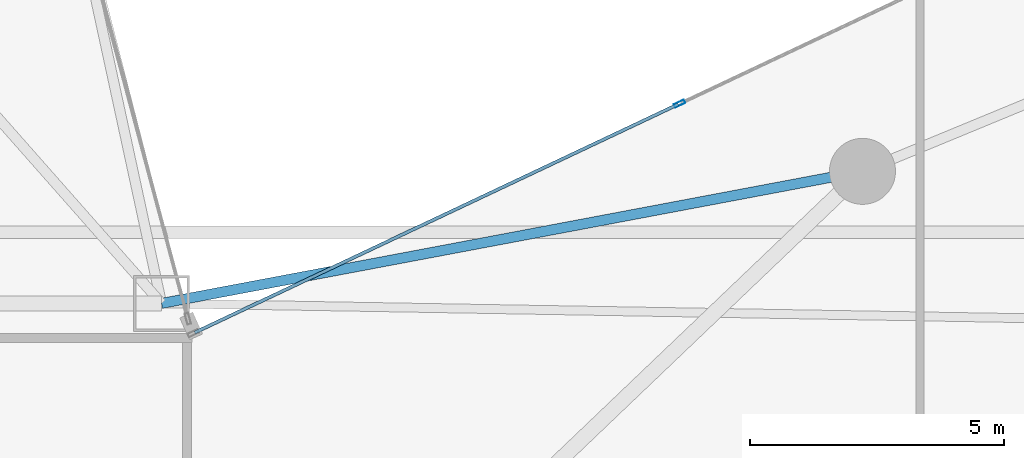
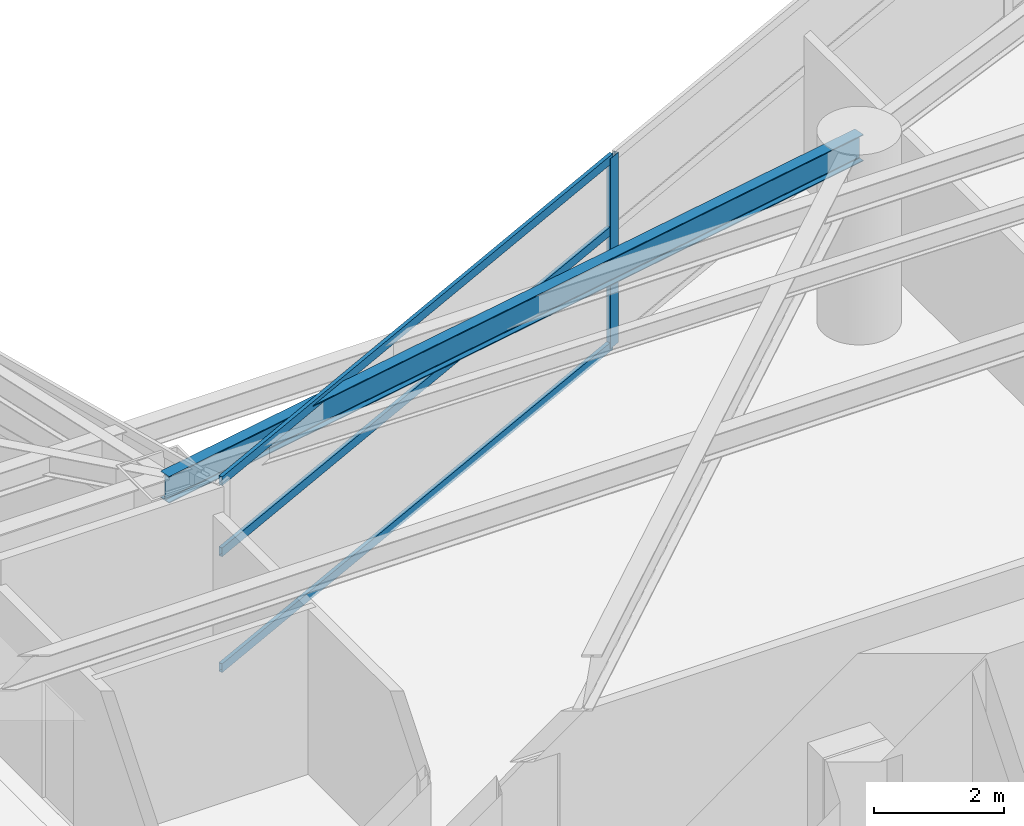
# One storey, part 11 of 29: 4 members, 1 beam, 1 element without a shape of its own.
"""IFC4 building model written with IfcOpenShell, lengths in metres."""

from ifc_helpers import new_model, si_unit, direction, frame, origin, origin_2d, place, context, subcontext, project, spatial, hollow_rectangle, i_section, extrude, material, layer, layer_set, material_profile, profile_set, type_object, element, aggregate, save


model = new_model("IFC4")

# Units and contexts
model_context = context("Model", 3, precision=1e-05, world=origin(), true_north=direction((0.0, 1.0)))
body_context = subcontext(model_context, "Body", "Model", "MODEL_VIEW")
ifc_project = project(units=[si_unit("LENGTHUNIT", "METRE"), si_unit("AREAUNIT", "SQUARE_METRE"), si_unit("VOLUMEUNIT", "CUBIC_METRE"), si_unit("PLANEANGLEUNIT", "RADIAN"), si_unit("MASSUNIT", "GRAM", prefix="KILO")], contexts=[model_context])

# Site, building, storey
site_placement = place(None, origin())
site = spatial("IfcSite", under=ifc_project, at=site_placement, CompositionType="ELEMENT")
building_placement = place(site_placement, origin())
building = spatial("IfcBuilding", under=site, at=building_placement, Name="Calvorn Quay Hotel", CompositionType="ELEMENT")
storey_placement = place(building_placement, frame((0.0, 0.0, 66.0)))
storey = spatial("IfcBuildingStorey", under=building, at=storey_placement, Name="L15", CompositionType="ELEMENT", Elevation=66.0)

# Beam
ifc_material_1 = material(Name="Steel Q355B", Category="steel")
ifc_material_profile_1 = material_profile(ifc_material_1, i_section(OverallWidth=0.199951171875, OverallDepth=0.5, WebThickness=0.010009765625, FlangeThickness=0.01611328125, FilletRadius=0.01611328125, at=origin_2d()), Name="HN500x200x10x16")
ifc_profile_set_1 = profile_set([ifc_material_profile_1], Name="Steel Q355B")
beam_type = type_object("IfcBeamType", Name="BM-SPANDREL-Z1", PredefinedType="SPANDREL", material=ifc_profile_set_1)
beam_placement = place(storey_placement, frame((34.800048828125, 27.60009765625, 3.2900390625), z_axis=(-0.982709432406, -0.185154452988, 0.0), x_axis=(0.185154452988, -0.982709432406, 0.0)))
element("IfcBeam", 1, at=beam_placement, inside=storey, type_object=beam_type, Name="Beam BSP-L15-E5", PredefinedType="SPANDREL", context=body_context, shape_type="SweptSolid", body=[
    extrude(i_section(OverallWidth=0.199951171875, OverallDepth=0.5, WebThickness=0.010009765625, FlangeThickness=0.01611328125, FilletRadius=0.01611328125, at=origin_2d()), origin(), (0.0, 0.0, 1.0), 14.04296875),
])

# Curtain wall, members
ifc_material_2 = material(Name="Pale Anodised Aluminium and Low-E Glass", Category="aluminium")
ifc_layer = layer(ifc_material_2, 0.219970703125)
ifc_layer_set = layer_set([ifc_layer], Name="CW-SYS-Z1")
curtain_wall_type = type_object("IfcCurtainWallType", Name="CW-SYS-Z1", PredefinedType="NOTDEFINED", material=ifc_layer_set)
curtain_wall_placement = place(storey_placement, origin())
curtain_wall = element("IfcCurtainWall", 2, at=curtain_wall_placement, inside=storey, type_object=curtain_wall_type, Name="Inner Court Curtain Wall L15-NE1", PredefinedType="NOTDEFINED")
ifc_material_3 = material(Name="Pale Anodised Aluminium 6063-T6", Category="aluminium")
ifc_material_profile_2 = material_profile(ifc_material_3, hollow_rectangle(XDim=0.074951171875, YDim=0.219970703125, WallThickness=0.00439453125, at=origin_2d()), Name="ALU-M220x75x4.5")
ifc_profile_set_2 = profile_set([ifc_material_profile_2], Name="Pale Anodised Aluminium 6063-T6")
member_type_1 = type_object("IfcMemberType", Name="CW-SYS-Z1-MUL", PredefinedType="MULLION", material=ifc_profile_set_2)
member_1_placement = place(storey_placement, frame((31.199951171875, 28.933349609375, 0.0), z_axis=(0.0, 0.0, 1.0), x_axis=(0.427006305415, -0.904248646743, 0.0)))
member_1 = element("IfcMember", 3, at=member_1_placement, type_object=member_type_1, Name="CW-L15-NE1 mullion 3", PredefinedType="MULLION", context=body_context, shape_type="SweptSolid", body=[
    extrude(hollow_rectangle(XDim=0.074951171875, YDim=0.219970703125, WallThickness=0.00439453125, at=origin_2d()), origin(), (0.0, 0.0, 1.0), 3.56005859375),
])
ifc_material_4 = material(Name="Pale Anodised Aluminium 6063-T6", Category="aluminium")
ifc_material_profile_3 = material_profile(ifc_material_4, hollow_rectangle(XDim=0.06494140625, YDim=0.1650390625, WallThickness=0.00341796875, at=origin_2d()), Name="ALU-T165x65x3.5")
ifc_profile_set_3 = profile_set([ifc_material_profile_3], Name="Pale Anodised Aluminium 6063-T6")
member_type_2 = type_object("IfcMemberType", Name="CW-SYS-Z1-TRN", PredefinedType="USERDEFINED", material=ifc_profile_set_3)
member_2_placement = place(storey_placement, frame((31.1728515625, 28.92041015625, 0.030029296875), z_axis=(-0.904248646746, -0.427006305408, 0.0), x_axis=(0.427006305408, -0.904248646746, 0.0)))
member_2 = element("IfcMember", 4, at=member_2_placement, type_object=member_type_2, Name="CW-L15-NE1 transom 3.1", ObjectType="TRANSOM", PredefinedType="USERDEFINED", context=body_context, shape_type="SweptSolid", body=[
    extrude(hollow_rectangle(XDim=0.06494140625, YDim=0.1650390625, WallThickness=0.00341796875, at=origin_2d()), origin(), (0.0, 0.0, 1.0), 10.5263671875),
])
member_3_placement = place(storey_placement, frame((31.1728515625, 28.92041015625, 2.199951171875), z_axis=(-0.904248646746, -0.427006305408, 0.0), x_axis=(0.427006305408, -0.904248646746, 0.0)))
member_3 = element("IfcMember", 5, at=member_3_placement, type_object=member_type_2, Name="CW-L15-NE1 transom 3.2", ObjectType="TRANSOM", PredefinedType="USERDEFINED", context=body_context, shape_type="SweptSolid", body=[
    extrude(hollow_rectangle(XDim=0.06494140625, YDim=0.1650390625, WallThickness=0.00341796875, at=origin_2d()), origin(), (0.0, 0.0, 1.0), 10.5263671875),
])
member_4_placement = place(storey_placement, frame((31.1728515625, 28.92041015625, 3.530029296875), z_axis=(-0.904248646746, -0.427006305408, 0.0), x_axis=(0.427006305408, -0.904248646746, 0.0)))
member_4 = element("IfcMember", 6, at=member_4_placement, type_object=member_type_2, Name="CW-L15-NE1 transom 3.3", ObjectType="TRANSOM", PredefinedType="USERDEFINED", context=body_context, shape_type="SweptSolid", body=[
    extrude(hollow_rectangle(XDim=0.06494140625, YDim=0.1650390625, WallThickness=0.00341796875, at=origin_2d()), origin(), (0.0, 0.0, 1.0), 10.5263671875),
])
aggregate(curtain_wall, [member_1, member_2, member_3, member_4])

save(model, "model.ifc")
